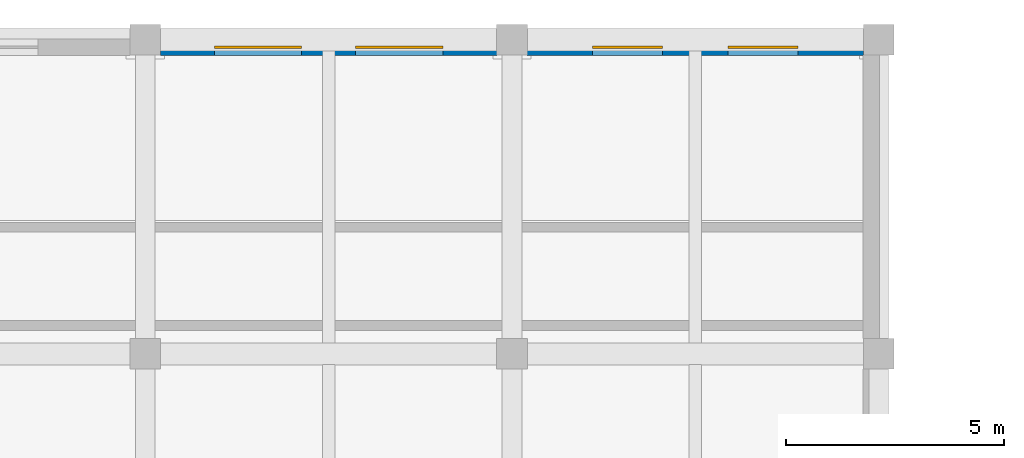
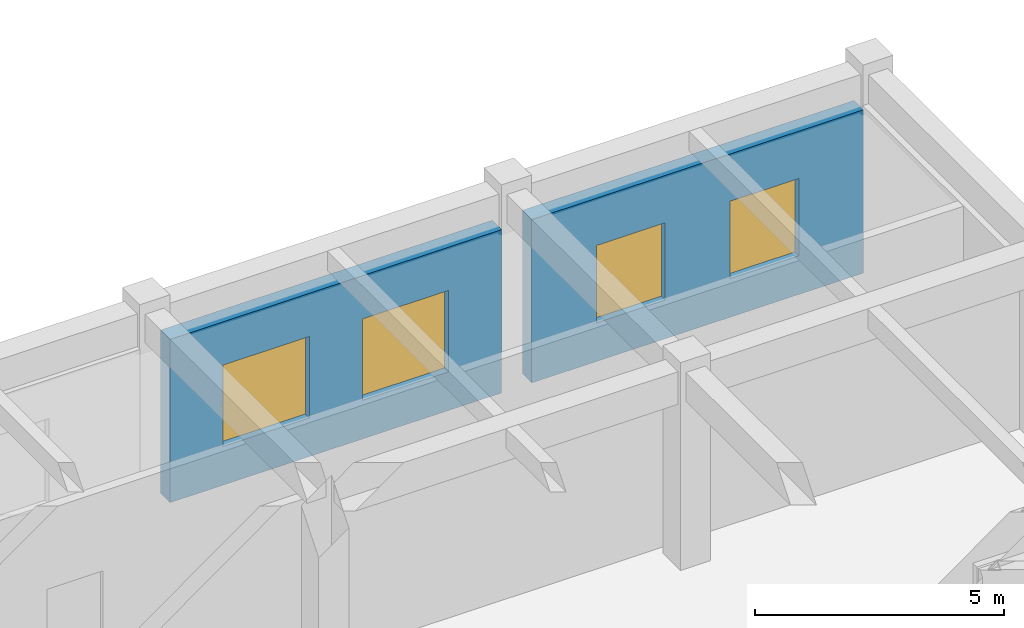
# One storey, part 90 of 121: 4 windows, 2 walls, 4 openings.
"""IFC4 building model written with IfcOpenShell, lengths in metres."""

from ifc_helpers import new_model, si_unit, direction, frame, frame_2d, origin, place, context, subcontext, project, spatial, rectangle, extrude, material, layer, layer_set, type_object, element, fill, save


model = new_model("IFC4")

# Units and contexts
model_context = context("Model", 3, precision=1e-05, world=origin(), true_north=direction((0.0, 1.0)))
body_context = subcontext(model_context, "Body", "Model", "MODEL_VIEW")
ifc_project = project(units=[si_unit("LENGTHUNIT", "METRE"), si_unit("AREAUNIT", "SQUARE_METRE"), si_unit("VOLUMEUNIT", "CUBIC_METRE"), si_unit("PLANEANGLEUNIT", "RADIAN"), si_unit("MASSUNIT", "GRAM", prefix="KILO")], contexts=[model_context])

# Site, building, storey
site_placement = place(None, origin())
site = spatial("IfcSite", under=ifc_project, at=site_placement, CompositionType="ELEMENT")
building_placement = place(site_placement, origin())
building = spatial("IfcBuilding", under=site, at=building_placement, Name="Malvenik Polytechnic", CompositionType="ELEMENT")
storey_placement = place(building_placement, origin())
storey = spatial("IfcBuildingStorey", under=building, at=storey_placement, Name="L00", CompositionType="ELEMENT", Elevation=0.0)

# Wall, openings, windows
ifc_material_1 = material(Name="Concrete C30/37", Category="concrete")
ifc_layer = layer(ifc_material_1, 0.3798828125)
ifc_layer_set = layer_set([ifc_layer], Name="Concrete C30/37")
wall_type = type_object("IfcWallType", Name="ARC-EW-380", PredefinedType="SOLIDWALL", material=ifc_layer_set)
wall_1_placement = place(storey_placement, frame((117.947998046875, 129.429931640625, 0.0), z_axis=(0.0, 0.0, 1.0), x_axis=(1.0, 0.0, 0.0)))
wall_1 = element("IfcWall", 1, at=wall_1_placement, inside=storey, type_object=wall_type, Name="External Facade Wall EW-01 L00 #97", PredefinedType="SOLIDWALL", context=body_context, shape_type="SweptSolid", body=[
    extrude(rectangle(XDim=7.7041015625, YDim=0.3798828125, at=frame_2d((3.85205078125, 0.0))), origin(), (0.0, 0.0, 1.0), 4.010009765625),
])
opening_1_placement = place(wall_1_placement, frame((1.234619140625, 0.0, 0.949951171875)))
opening_1 = element("IfcOpeningElement", 2, at=opening_1_placement, cuts=wall_1, Name="Opening W-03", PredefinedType="OPENING", context=body_context, shape_type="SweptSolid", body=[
    extrude(rectangle(XDim=2.0, YDim=2.0, at=frame_2d((1.0, 1.0))), frame((0.0, 0.199951171875, 0.0), z_axis=(0.0, -1.0, 0.0), x_axis=(1.0, 0.0, 0.0)), (0.0, 0.0, 1.0), 0.39990234375),
])
opening_2_placement = place(wall_1_placement, frame((4.469482421875, 0.0, 0.949951171875)))
opening_2 = element("IfcOpeningElement", 3, at=opening_2_placement, cuts=wall_1, Name="Opening W-03", PredefinedType="OPENING", context=body_context, shape_type="SweptSolid", body=[
    extrude(rectangle(XDim=2.0, YDim=2.0, at=frame_2d((1.0, 1.0))), frame((0.0, 0.199951171875, 0.0), z_axis=(0.0, -1.0, 0.0), x_axis=(1.0, 0.0, 0.0)), (0.0, 0.0, 1.0), 0.39990234375),
])
ifc_material_2 = material(Name="Thermally broken aluminium frame with low-E double glazing", Category="aluminium")
window_type_1 = type_object("IfcWindowType", Name="ARC-WIN-W-03", PartitioningType="SINGLE_PANEL", PredefinedType="WINDOW", material=ifc_material_2)
window_1_placement = place(opening_1_placement, origin())
window_1 = element("IfcWindow", 4, at=window_1_placement, inside=storey, type_object=window_type_1, Name="Punched Window W-03 L00 #61", OverallHeight=2.0, OverallWidth=2.0, PartitioningType="SINGLE_PANEL", PredefinedType="WINDOW", context=body_context, shape_type="SweptSolid", body=[
    extrude(rectangle(XDim=2.0, YDim=2.0, at=frame_2d((1.0, 1.0))), frame((0.0, 0.030029296875, 0.0), z_axis=(0.0, -1.0, 0.0), x_axis=(1.0, 0.0, 0.0)), (0.0, 0.0, 1.0), 0.06005859375),
])
fill(opening_1, window_1)
window_2_placement = place(opening_2_placement, origin())
window_2 = element("IfcWindow", 5, at=window_2_placement, inside=storey, type_object=window_type_1, Name="Punched Window W-03 L00 #62", OverallHeight=2.0, OverallWidth=2.0, PartitioningType="SINGLE_PANEL", PredefinedType="WINDOW", context=body_context, shape_type="SweptSolid", body=[
    extrude(rectangle(XDim=2.0, YDim=2.0, at=frame_2d((1.0, 1.0))), frame((0.0, 0.030029296875, 0.0), z_axis=(0.0, -1.0, 0.0), x_axis=(1.0, 0.0, 0.0)), (0.0, 0.0, 1.0), 0.06005859375),
])
fill(opening_2, window_2)

wall_2_placement = place(storey_placement, frame((126.347900390625, 129.429931640625, 0.0), z_axis=(0.0, 0.0, 1.0), x_axis=(1.0, 0.0, 0.0)))
wall_2 = element("IfcWall", 6, at=wall_2_placement, inside=storey, type_object=wall_type, Name="External Facade Wall EW-01 L00 #98", PredefinedType="SOLIDWALL", context=body_context, shape_type="SweptSolid", body=[
    extrude(rectangle(XDim=7.7041015625, YDim=0.3798828125, at=frame_2d((3.85205078125, 0.0))), origin(), (0.0, 0.0, 1.0), 4.010009765625),
])
opening_3_placement = place(wall_2_placement, frame((1.501220703125, 0.0, 0.949951171875)))
opening_3 = element("IfcOpeningElement", 7, at=opening_3_placement, cuts=wall_2, Name="Opening W-05", PredefinedType="OPENING", context=body_context, shape_type="SweptSolid", body=[
    extrude(rectangle(XDim=1.60009765625, YDim=1.89990234375, at=frame_2d((0.800048828125, 0.949951171875))), frame((0.0, 0.199951171875, 0.0), z_axis=(0.0, -1.0, 0.0), x_axis=(1.0, 0.0, 0.0)), (0.0, 0.0, 1.0), 0.39990234375),
])
opening_4_placement = place(wall_2_placement, frame((4.6025390625, 0.0, 0.949951171875)))
opening_4 = element("IfcOpeningElement", 8, at=opening_4_placement, cuts=wall_2, Name="Opening W-05", PredefinedType="OPENING", context=body_context, shape_type="SweptSolid", body=[
    extrude(rectangle(XDim=1.60009765625, YDim=1.89990234375, at=frame_2d((0.800048828125, 0.949951171875))), frame((0.0, 0.199951171875, 0.0), z_axis=(0.0, -1.0, 0.0), x_axis=(1.0, 0.0, 0.0)), (0.0, 0.0, 1.0), 0.39990234375),
])
window_type_2 = type_object("IfcWindowType", Name="ARC-WIN-W-05", PartitioningType="SINGLE_PANEL", PredefinedType="WINDOW", material=ifc_material_2)
window_3_placement = place(opening_3_placement, origin())
window_3 = element("IfcWindow", 9, at=window_3_placement, inside=storey, type_object=window_type_2, Name="Punched Window W-05 L00 #63", OverallHeight=1.89990234375, OverallWidth=1.60009765625, PartitioningType="SINGLE_PANEL", PredefinedType="WINDOW", context=body_context, shape_type="SweptSolid", body=[
    extrude(rectangle(XDim=1.60009765625, YDim=1.89990234375, at=frame_2d((0.800048828125, 0.949951171875))), frame((0.0, 0.030029296875, 0.0), z_axis=(0.0, -1.0, 0.0), x_axis=(1.0, 0.0, 0.0)), (0.0, 0.0, 1.0), 0.06005859375),
])
fill(opening_3, window_3)
window_4_placement = place(opening_4_placement, origin())
window_4 = element("IfcWindow", 10, at=window_4_placement, inside=storey, type_object=window_type_2, Name="Punched Window W-05 L00 #64", OverallHeight=1.89990234375, OverallWidth=1.60009765625, PartitioningType="SINGLE_PANEL", PredefinedType="WINDOW", context=body_context, shape_type="SweptSolid", body=[
    extrude(rectangle(XDim=1.60009765625, YDim=1.89990234375, at=frame_2d((0.800048828125, 0.949951171875))), frame((0.0, 0.030029296875, 0.0), z_axis=(0.0, -1.0, 0.0), x_axis=(1.0, 0.0, 0.0)), (0.0, 0.0, 1.0), 0.06005859375),
])
fill(opening_4, window_4)

save(model, "model.ifc")
